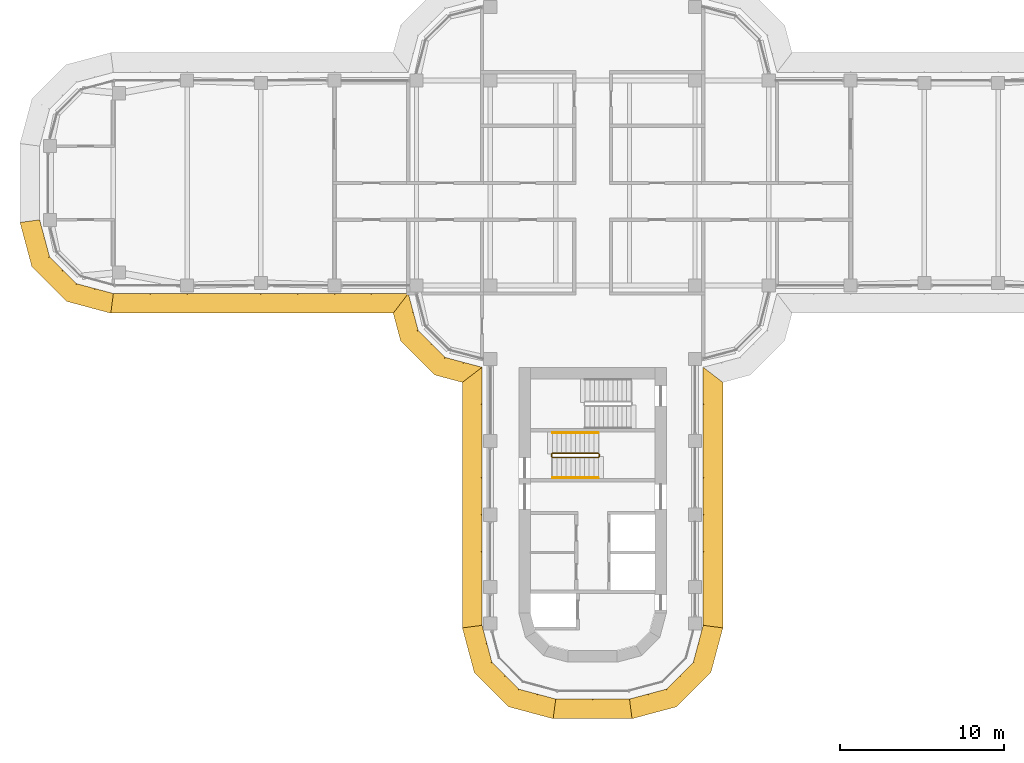
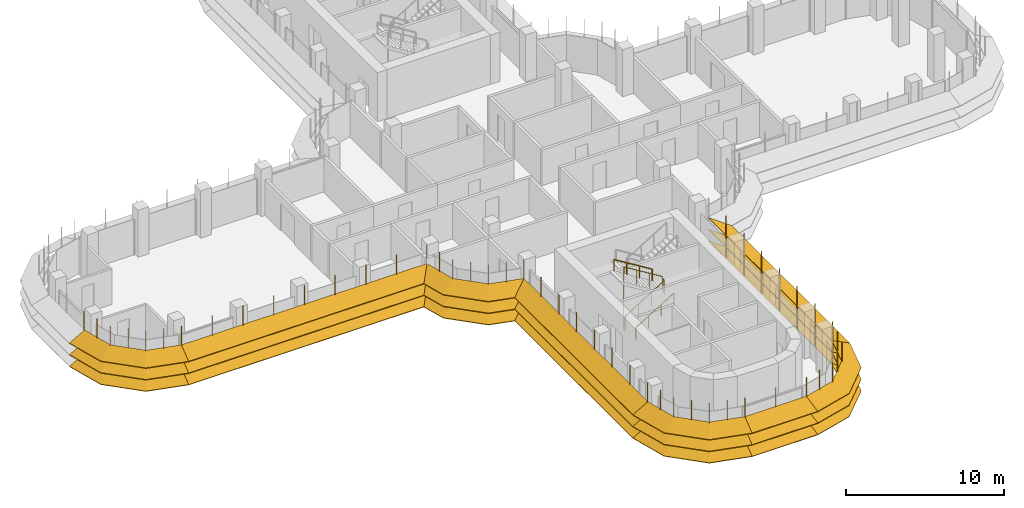
# One storey, part 16 of 19: 8 shading devices, 3 railings.
"""IFC4 building model written with IfcOpenShell, lengths in metres."""

from ifc_helpers import new_model, si_unit, direction, frame, origin, origin_2d, place, context, subcontext, project, spatial, polyline, circle, outline, extrude, faceted_brep, source, transform, mapped, material, type_object, element, save


model = new_model("IFC4")

# Units and contexts
model_context = context("Model", 3, precision=1e-05, world=origin(), true_north=direction((0.0, 1.0)))
body_context = subcontext(model_context, "Body", "Model", "MODEL_VIEW")
ifc_project = project(units=[si_unit("LENGTHUNIT", "METRE"), si_unit("AREAUNIT", "SQUARE_METRE"), si_unit("VOLUMEUNIT", "CUBIC_METRE"), si_unit("PLANEANGLEUNIT", "RADIAN"), si_unit("MASSUNIT", "GRAM", prefix="KILO")], contexts=[model_context])

# Site, building, storey
site_placement = place(None, origin())
site = spatial("IfcSite", under=ifc_project, at=site_placement, CompositionType="ELEMENT")
building_placement = place(site_placement, origin())
building = spatial("IfcBuilding", under=site, at=building_placement, Name="Zarbagh Exchange Tower", CompositionType="ELEMENT")
storey_placement = place(building_placement, frame((0.0, 0.0, 167.60009765625)))
storey = spatial("IfcBuildingStorey", under=building, at=storey_placement, Name="L40", CompositionType="ELEMENT", Elevation=167.60009765625)

# Railings
ifc_material_1 = material(Name="Stainless steel", Category="steel")
railing_type_1 = type_object("IfcRailingType", Name="Stair guard 1100 mm", PredefinedType="GUARDRAIL", material=ifc_material_1)
railing_1_placement = place(storey_placement, frame((0.35009765625, -16.5, 2.072509765625)))
element("IfcRailing", 1, at=railing_1_placement, inside=storey, type_object=railing_type_1, Name="ST3 stair guard 1", PredefinedType="GUARDRAIL", context=body_context, shape_type="SweptSolid", body=[
    extrude(circle(Radius=0.02392578125, at=origin_2d()), frame((0.0, 0.0, 1.076171875), z_axis=(-0.851089632645, 0.0, 0.525020415988), x_axis=(0.0, -1.0, 0.0)), (0.0, 0.0, 1.0), 3.2900390625),
    extrude(circle(Radius=0.02392578125, at=origin_2d()), frame((-2.800048828125, 0.0, 2.80322265625), z_axis=(-0.013169136761, -0.013169136761, -0.999826558796), x_axis=(0.707106781187, -0.707106781187, 0.0)), (0.0, 0.0, 1.0), 3.800537109375),
    extrude(circle(Radius=0.02392578125, at=origin_2d()), frame((-2.85009765625, -0.050048828125, -0.99658203125), z_axis=(0.0, -1.0, 0.0), x_axis=(1.0, 0.0, 0.0)), (0.0, 0.0, 1.0), 0.14990234375),
    extrude(circle(Radius=0.02392578125, at=origin_2d()), frame((-2.85009765625, -0.199951171875, -0.99658203125), z_axis=(0.268277960024, -0.268277960024, 0.925231793839), x_axis=(0.707106781187, 0.707106781187, 0.0)), (0.0, 0.0, 1.0), 0.1865234375),
    extrude(circle(Radius=0.02392578125, at=origin_2d()), frame((-2.800048828125, -0.25, -0.82373046875), z_axis=(0.851089632645, 0.0, 0.525020415988), x_axis=(0.0, 1.0, 0.0)), (0.0, 0.0, 1.0), 3.2900390625),
    extrude(circle(Radius=0.02392578125, at=origin_2d()), frame((0.0, -0.25, 0.9033203125), z_axis=(0.705375805398, 0.708833529934, 0.0), x_axis=(-0.708833529934, 0.705375805398, 0.0)), (0.0, 0.0, 1.0), 0.070556640625),
    extrude(circle(Radius=0.02392578125, at=origin_2d()), frame((0.0498046875, -0.199951171875, 0.9033203125), z_axis=(0.0, 1.0, 0.0), x_axis=(-1.0, 0.0, 0.0)), (0.0, 0.0, 1.0), 0.14990234375),
    extrude(circle(Radius=0.02099609375, at=origin_2d()), origin(), (0.0, 0.0, 1.0), 1.052001953125),
    extrude(circle(Radius=0.02099609375, at=origin_2d()), frame((-0.933349609375, 0.0, 0.57568359375)), (0.0, 0.0, 1.0), 1.052001953125),
    extrude(circle(Radius=0.02099609375, at=origin_2d()), frame((-1.86669921875, 0.0, 1.151611328125)), (0.0, 0.0, 1.0), 1.052001953125),
    extrude(circle(Radius=0.02099609375, at=origin_2d()), frame((-2.800048828125, 0.0, 1.727294921875)), (0.0, 0.0, 1.0), 1.052001953125),
    extrude(circle(Radius=0.02099609375, at=origin_2d()), frame((-2.8125, -0.012451171875, 0.77734375)), (0.0, 0.0, 1.0), 1.052001953125),
    extrude(circle(Radius=0.02099609375, at=origin_2d()), frame((-2.8251953125, -0.02490234375, -0.172607421875)), (0.0, 0.0, 1.0), 1.052001953125),
    extrude(circle(Radius=0.02099609375, at=origin_2d()), frame((-2.837646484375, -0.03759765625, -1.12255859375)), (0.0, 0.0, 1.0), 1.052001953125),
    extrude(circle(Radius=0.02099609375, at=origin_2d()), frame((-2.85009765625, -0.050048828125, -2.072509765625)), (0.0, 0.0, 1.0), 1.052001953125),
    extrude(circle(Radius=0.02099609375, at=origin_2d()), frame((-2.85009765625, -0.199951171875, -2.072509765625)), (0.0, 0.0, 1.0), 1.052001953125),
    extrude(circle(Radius=0.02099609375, at=origin_2d()), frame((-2.800048828125, -0.25, -1.89990234375)), (0.0, 0.0, 1.0), 1.052001953125),
    extrude(circle(Radius=0.02099609375, at=origin_2d()), frame((-1.86669921875, -0.25, -1.32421875)), (0.0, 0.0, 1.0), 1.052001953125),
    extrude(circle(Radius=0.02099609375, at=origin_2d()), frame((-0.933349609375, -0.25, -0.748291015625)), (0.0, 0.0, 1.0), 1.052001953125),
    extrude(circle(Radius=0.02099609375, at=origin_2d()), frame((0.0, -0.25, -0.172607421875)), (0.0, 0.0, 1.0), 1.052001953125),
    extrude(circle(Radius=0.02099609375, at=origin_2d()), frame((0.0498046875, -0.199951171875, -0.172607421875)), (0.0, 0.0, 1.0), 1.052001953125),
    extrude(circle(Radius=0.02099609375, at=origin_2d()), frame((0.0498046875, -0.050048828125, -0.172607421875)), (0.0, 0.0, 1.0), 1.052001953125),
])
railing_type_2 = type_object("IfcRailingType", Name="Stair handrail 900 mm", PredefinedType="HANDRAIL", material=ifc_material_1)
railing_2_placement = place(storey_placement, frame((-2.449951171875, -18.0, 0.172607421875)))
element("IfcRailing", 2, at=railing_2_placement, inside=storey, type_object=railing_type_2, Name="ST3 stair handrail 1", PredefinedType="HANDRAIL", context=body_context, shape_type="SweptSolid", body=[
    extrude(circle(Radius=0.02392578125, at=origin_2d()), frame((0.0, 0.0, 0.8759765625), z_axis=(0.851089632645, 0.0, 0.525020415988), x_axis=(0.0, 1.0, 0.0)), (0.0, 0.0, 1.0), 3.2900390625),
    extrude(circle(Radius=0.02099609375, at=origin_2d()), origin(), (0.0, 0.0, 1.0), 0.851806640625),
    extrude(circle(Radius=0.02099609375, at=origin_2d()), frame((0.933349609375, 0.0, 0.57568359375)), (0.0, 0.0, 1.0), 0.851806640625),
    extrude(circle(Radius=0.02099609375, at=origin_2d()), frame((1.86669921875, 0.0, 1.151611328125)), (0.0, 0.0, 1.0), 0.851806640625),
    extrude(circle(Radius=0.02099609375, at=origin_2d()), frame((2.800048828125, 0.0, 1.727294921875)), (0.0, 0.0, 1.0), 0.851806640625),
])
railing_3_placement = place(storey_placement, frame((0.35009765625, -15.25, 2.072509765625)))
element("IfcRailing", 3, at=railing_3_placement, inside=storey, type_object=railing_type_2, Name="ST3 stair handrail 2", PredefinedType="HANDRAIL", context=body_context, shape_type="SweptSolid", body=[
    extrude(circle(Radius=0.02392578125, at=origin_2d()), frame((0.0, 0.0, 0.8759765625), z_axis=(-0.851089632645, 0.0, 0.525020415988), x_axis=(0.0, -1.0, 0.0)), (0.0, 0.0, 1.0), 3.2900390625),
    extrude(circle(Radius=0.02099609375, at=origin_2d()), origin(), (0.0, 0.0, 1.0), 0.851806640625),
    extrude(circle(Radius=0.02099609375, at=origin_2d()), frame((-0.933349609375, 0.0, 0.57568359375)), (0.0, 0.0, 1.0), 0.851806640625),
    extrude(circle(Radius=0.02099609375, at=origin_2d()), frame((-1.86669921875, 0.0, 1.151611328125)), (0.0, 0.0, 1.0), 0.851806640625),
    extrude(circle(Radius=0.02099609375, at=origin_2d()), frame((-2.800048828125, 0.0, 1.727294921875)), (0.0, 0.0, 1.0), 0.851806640625),
])

# Shading devices
ifc_material_2 = material(Name="Anodised aluminium blades and brackets", Category="aluminium")
shading_device_type = type_object("IfcShadingDeviceType", Name="SUNSHADE louvre band, 22.5 degree blades", PredefinedType="JALOUSIE", material=ifc_material_2)
shared_shape_1 = source(origin(), body_context, "Body", "Brep", [
    faceted_brep([(0.0, 0.0, 0.0), (0.0, 0.0, -0.043212890625), (-0.157958984375, -1.199951171875, -0.540283203125), (-0.157958984375, -1.199951171875, -0.4970703125), (2.65087890625, -1.199951171875, -0.4970703125), (2.65087890625, -1.199951171875, -0.540283203125), (2.329345703125, 0.0, -0.043212890625), (2.329345703125, 0.0, 0.0)], [[[0, 1, 2, 3]], [[4, 5, 6, 7]], [[0, 7, 6, 1]], [[1, 6, 5, 2]], [[2, 5, 4, 3]], [[3, 4, 7, 0]]]),
])
shared_shape_2 = source(origin(), body_context, "Body", "Brep", [
    faceted_brep([(0.0, 0.0, 0.0), (0.0, 0.0, -0.043212890625), (-0.321533203125, -1.199951171875, -0.540283203125), (-0.321533203125, -1.199951171875, -0.4970703125), (2.65087890625, -1.199951171875, -0.4970703125), (2.65087890625, -1.199951171875, -0.540283203125), (2.329345703125, 0.0, -0.043212890625), (2.329345703125, 0.0, 0.0)], [[[0, 1, 2, 3]], [[4, 5, 6, 7]], [[0, 7, 6, 1]], [[1, 6, 5, 2]], [[2, 5, 4, 3]], [[3, 4, 7, 0]]]),
])
shared_shape_3 = source(origin(), body_context, "Body", "Brep", [
    faceted_brep([(0.0, 0.0, 0.0), (0.0, 0.0, -0.043212890625), (-0.321533203125, -1.199951171875, -0.540283203125), (-0.321533203125, -1.199951171875, -0.4970703125), (2.4873046875, -1.199951171875, -0.4970703125), (2.4873046875, -1.199951171875, -0.540283203125), (2.329345703125, 0.0, -0.043212890625), (2.329345703125, 0.0, 0.0)], [[[0, 1, 2, 3]], [[4, 5, 6, 7]], [[0, 7, 6, 1]], [[1, 6, 5, 2]], [[2, 5, 4, 3]], [[3, 4, 7, 0]]]),
])
shared_shape_4 = source(origin(), body_context, "Body", "SweptSolid", [
    extrude(outline(polyline([(0.0, -0.012451171875), (0.06005859375, -0.012451171875), (0.06005859375, 0.012451171875), (0.0, 0.012451171875), (0.0, -0.012451171875)])), origin(), (0.0, 0.0, 1.0), 3.353271484375),
])
placement = place(storey_placement, origin())
element("IfcShadingDevice", 4, at=placement, inside=storey, type_object=shading_device_type, Name="SS35 sunshade band", PredefinedType="JALOUSIE", context=body_context, shape_type="MappedRepresentation", body=[
    mapped(shared_shape_1, transform((2.25, -31.5, 2.2998046875), x_axis=(0.965924289636, 0.258824779902, 0.0), y_axis=(-0.258824779902, 0.965924289636, 0.0), z_axis=(0.0, 0.0, 1.0))),
    mapped(shared_shape_1, transform((2.25, -31.5, 1.39990234375), x_axis=(0.965924289636, 0.258824779902, 0.0), y_axis=(-0.258824779902, 0.965924289636, 0.0), z_axis=(0.0, 0.0, 1.0))),
    mapped(shared_shape_1, transform((2.25, -31.5, 0.5), x_axis=(0.965924289636, 0.258824779902, 0.0), y_axis=(-0.258824779902, 0.965924289636, 0.0), z_axis=(0.0, 0.0, 1.0))),
    mapped(shared_shape_2, transform((4.5, -30.897216796875, 2.2998046875), x_axis=(0.707106781187, 0.707106781187, 0.0), y_axis=(-0.707106781187, 0.707106781187, 0.0), z_axis=(0.0, 0.0, 1.0))),
    mapped(shared_shape_2, transform((4.5, -30.897216796875, 1.39990234375), x_axis=(0.707106781187, 0.707106781187, 0.0), y_axis=(-0.707106781187, 0.707106781187, 0.0), z_axis=(0.0, 0.0, 1.0))),
    mapped(shared_shape_2, transform((4.5, -30.897216796875, 0.5), x_axis=(0.707106781187, 0.707106781187, 0.0), y_axis=(-0.707106781187, 0.707106781187, 0.0), z_axis=(0.0, 0.0, 1.0))),
    mapped(shared_shape_3, transform((6.147216796875, -29.25, 2.2998046875), x_axis=(0.258824779902, 0.965924289636, 0.0), y_axis=(-0.965924289636, 0.258824779902, 0.0), z_axis=(0.0, 0.0, 1.0))),
    mapped(shared_shape_3, transform((6.147216796875, -29.25, 1.39990234375), x_axis=(0.258824779902, 0.965924289636, 0.0), y_axis=(-0.965924289636, 0.258824779902, 0.0), z_axis=(0.0, 0.0, 1.0))),
    mapped(shared_shape_3, transform((6.147216796875, -29.25, 0.5), x_axis=(0.258824779902, 0.965924289636, 0.0), y_axis=(-0.965924289636, 0.258824779902, 0.0), z_axis=(0.0, 0.0, 1.0))),
    mapped(shared_shape_4, transform((2.25, -31.5, 0.426513671875), x_axis=(0.130529263012, -0.991444457092, 0.0), y_axis=(0.991444457092, 0.130529263012, 0.0), z_axis=(0.0, 0.0, 1.0))),
    mapped(shared_shape_4, transform((3.375, -31.198486328125, 0.426513671875), x_axis=(0.258825058029, -0.96592421511, 0.0), y_axis=(0.96592421511, 0.258825058029, 0.0), z_axis=(0.0, 0.0, 1.0))),
    mapped(shared_shape_4, transform((4.5, -30.897216796875, 0.426513671875), x_axis=(0.50000275701, -0.866023812018, 0.0), y_axis=(0.866023812018, 0.50000275701, 0.0), z_axis=(0.0, 0.0, 1.0))),
    mapped(shared_shape_4, transform((5.323486328125, -30.073486328125, 0.426513671875), x_axis=(0.707106781187, -0.707106781187, 0.0), y_axis=(0.707106781187, 0.707106781187, 0.0), z_axis=(0.0, 0.0, 1.0))),
    mapped(shared_shape_4, transform((6.147216796875, -29.25, 0.426513671875), x_axis=(0.866023812018, -0.50000275701, 0.0), y_axis=(0.50000275701, 0.866023812018, 0.0), z_axis=(0.0, 0.0, 1.0))),
    mapped(shared_shape_4, transform((6.448486328125, -28.125, 0.426513671875), x_axis=(0.96592421511, -0.258825058029, 0.0), y_axis=(0.258825058029, 0.96592421511, 0.0), z_axis=(0.0, 0.0, 1.0))),
])
element("IfcShadingDevice", 5, at=placement, inside=storey, type_object=shading_device_type, Name="SS19 sunshade band", PredefinedType="JALOUSIE", context=body_context, shape_type="MappedRepresentation", body=[
    mapped(shared_shape_1, transform((-33.75, -2.25, 2.2998046875), x_axis=(0.258824779902, -0.965924289636, 0.0), y_axis=(0.965924289636, 0.258824779902, 0.0), z_axis=(0.0, 0.0, 1.0))),
    mapped(shared_shape_1, transform((-33.75, -2.25, 1.39990234375), x_axis=(0.258824779902, -0.965924289636, 0.0), y_axis=(0.965924289636, 0.258824779902, 0.0), z_axis=(0.0, 0.0, 1.0))),
    mapped(shared_shape_1, transform((-33.75, -2.25, 0.5), x_axis=(0.258824779902, -0.965924289636, 0.0), y_axis=(0.965924289636, 0.258824779902, 0.0), z_axis=(0.0, 0.0, 1.0))),
    mapped(shared_shape_2, transform((-33.147216796875, -4.5, 2.2998046875), x_axis=(0.707106781187, -0.707106781187, 0.0), y_axis=(0.707106781187, 0.707106781187, 0.0), z_axis=(0.0, 0.0, 1.0))),
    mapped(shared_shape_2, transform((-33.147216796875, -4.5, 1.39990234375), x_axis=(0.707106781187, -0.707106781187, 0.0), y_axis=(0.707106781187, 0.707106781187, 0.0), z_axis=(0.0, 0.0, 1.0))),
    mapped(shared_shape_2, transform((-33.147216796875, -4.5, 0.5), x_axis=(0.707106781187, -0.707106781187, 0.0), y_axis=(0.707106781187, 0.707106781187, 0.0), z_axis=(0.0, 0.0, 1.0))),
    mapped(shared_shape_3, transform((-31.5, -6.147216796875, 2.2998046875), x_axis=(0.965924289636, -0.258824779902, 0.0), y_axis=(0.258824779902, 0.965924289636, 0.0), z_axis=(0.0, 0.0, 1.0))),
    mapped(shared_shape_3, transform((-31.5, -6.147216796875, 1.39990234375), x_axis=(0.965924289636, -0.258824779902, 0.0), y_axis=(0.258824779902, 0.965924289636, 0.0), z_axis=(0.0, 0.0, 1.0))),
    mapped(shared_shape_3, transform((-31.5, -6.147216796875, 0.5), x_axis=(0.965924289636, -0.258824779902, 0.0), y_axis=(0.258824779902, 0.965924289636, 0.0), z_axis=(0.0, 0.0, 1.0))),
    mapped(shared_shape_4, transform((-33.75, -2.25, 0.426513671875), x_axis=(-0.991444457092, -0.130529263012, 0.0), y_axis=(0.130529263012, -0.991444457092, 0.0), z_axis=(0.0, 0.0, 1.0))),
    mapped(shared_shape_4, transform((-33.448486328125, -3.375, 0.426513671875), x_axis=(-0.96592421511, -0.258825058029, 0.0), y_axis=(0.258825058029, -0.96592421511, 0.0), z_axis=(0.0, 0.0, 1.0))),
    mapped(shared_shape_4, transform((-33.147216796875, -4.5, 0.426513671875), x_axis=(-0.866023812018, -0.50000275701, 0.0), y_axis=(0.50000275701, -0.866023812018, 0.0), z_axis=(0.0, 0.0, 1.0))),
    mapped(shared_shape_4, transform((-32.323486328125, -5.323486328125, 0.426513671875), x_axis=(-0.707106781187, -0.707106781187, 0.0), y_axis=(0.707106781187, -0.707106781187, 0.0), z_axis=(0.0, 0.0, 1.0))),
    mapped(shared_shape_4, transform((-31.5, -6.147216796875, 0.426513671875), x_axis=(-0.50000275701, -0.866023812018, 0.0), y_axis=(0.866023812018, -0.50000275701, 0.0), z_axis=(0.0, 0.0, 1.0))),
    mapped(shared_shape_4, transform((-30.375, -6.448486328125, 0.426513671875), x_axis=(-0.258825058029, -0.96592421511, 0.0), y_axis=(0.96592421511, -0.258825058029, 0.0), z_axis=(0.0, 0.0, 1.0))),
])
element("IfcShadingDevice", 6, at=placement, inside=storey, type_object=shading_device_type, Name="SS38 sunshade band", PredefinedType="JALOUSIE", context=body_context, shape_type="MappedRepresentation", body=[
    mapped(shared_shape_1, transform((-6.75, -27.0, 2.2998046875), x_axis=(0.258824779902, -0.965924289636, 0.0), y_axis=(0.965924289636, 0.258824779902, 0.0), z_axis=(0.0, 0.0, 1.0))),
    mapped(shared_shape_1, transform((-6.75, -27.0, 1.39990234375), x_axis=(0.258824779902, -0.965924289636, 0.0), y_axis=(0.965924289636, 0.258824779902, 0.0), z_axis=(0.0, 0.0, 1.0))),
    mapped(shared_shape_1, transform((-6.75, -27.0, 0.5), x_axis=(0.258824779902, -0.965924289636, 0.0), y_axis=(0.965924289636, 0.258824779902, 0.0), z_axis=(0.0, 0.0, 1.0))),
    mapped(shared_shape_2, transform((-6.147216796875, -29.25, 2.2998046875), x_axis=(0.707106781187, -0.707106781187, 0.0), y_axis=(0.707106781187, 0.707106781187, 0.0), z_axis=(0.0, 0.0, 1.0))),
    mapped(shared_shape_2, transform((-6.147216796875, -29.25, 1.39990234375), x_axis=(0.707106781187, -0.707106781187, 0.0), y_axis=(0.707106781187, 0.707106781187, 0.0), z_axis=(0.0, 0.0, 1.0))),
    mapped(shared_shape_2, transform((-6.147216796875, -29.25, 0.5), x_axis=(0.707106781187, -0.707106781187, 0.0), y_axis=(0.707106781187, 0.707106781187, 0.0), z_axis=(0.0, 0.0, 1.0))),
    mapped(shared_shape_3, transform((-4.5, -30.897216796875, 2.2998046875), x_axis=(0.965924289636, -0.258824779902, 0.0), y_axis=(0.258824779902, 0.965924289636, 0.0), z_axis=(0.0, 0.0, 1.0))),
    mapped(shared_shape_3, transform((-4.5, -30.897216796875, 1.39990234375), x_axis=(0.965924289636, -0.258824779902, 0.0), y_axis=(0.258824779902, 0.965924289636, 0.0), z_axis=(0.0, 0.0, 1.0))),
    mapped(shared_shape_3, transform((-4.5, -30.897216796875, 0.5), x_axis=(0.965924289636, -0.258824779902, 0.0), y_axis=(0.258824779902, 0.965924289636, 0.0), z_axis=(0.0, 0.0, 1.0))),
    mapped(shared_shape_4, transform((-6.75, -27.0, 0.426513671875), x_axis=(-0.991444457092, -0.130529263012, 0.0), y_axis=(0.130529263012, -0.991444457092, 0.0), z_axis=(0.0, 0.0, 1.0))),
    mapped(shared_shape_4, transform((-6.448486328125, -28.125, 0.426513671875), x_axis=(-0.96592421511, -0.258825058029, 0.0), y_axis=(0.258825058029, -0.96592421511, 0.0), z_axis=(0.0, 0.0, 1.0))),
    mapped(shared_shape_4, transform((-6.147216796875, -29.25, 0.426513671875), x_axis=(-0.866023812018, -0.50000275701, 0.0), y_axis=(0.50000275701, -0.866023812018, 0.0), z_axis=(0.0, 0.0, 1.0))),
    mapped(shared_shape_4, transform((-5.323486328125, -30.073486328125, 0.426513671875), x_axis=(-0.707106781187, -0.707106781187, 0.0), y_axis=(0.707106781187, -0.707106781187, 0.0), z_axis=(0.0, 0.0, 1.0))),
    mapped(shared_shape_4, transform((-4.5, -30.897216796875, 0.426513671875), x_axis=(-0.50000275701, -0.866023812018, 0.0), y_axis=(0.866023812018, -0.50000275701, 0.0), z_axis=(0.0, 0.0, 1.0))),
    mapped(shared_shape_4, transform((-3.375, -31.198486328125, 0.426513671875), x_axis=(-0.258825058029, -0.96592421511, 0.0), y_axis=(0.96592421511, -0.258825058029, 0.0), z_axis=(0.0, 0.0, 1.0))),
])
shared_shape_5 = source(origin(), body_context, "Body", "Brep", [
    faceted_brep([(0.0, 0.0, 0.0), (0.0, 0.0, -0.043212890625), (0.9208984375, -1.199951171875, -0.540283203125), (0.9208984375, -1.199951171875, -0.4970703125), (2.65087890625, -1.199951171875, -0.4970703125), (2.65087890625, -1.199951171875, -0.540283203125), (2.329345703125, 0.0, -0.043212890625), (2.329345703125, 0.0, 0.0)], [[[0, 1, 2, 3]], [[4, 5, 6, 7]], [[0, 7, 6, 1]], [[1, 6, 5, 2]], [[2, 5, 4, 3]], [[3, 4, 7, 0]]]),
])
shared_shape_6 = source(origin(), body_context, "Body", "Brep", [
    faceted_brep([(0.0, 0.0, 0.0), (0.0, 0.0, -0.043212890625), (-0.321533203125, -1.199951171875, -0.540283203125), (-0.321533203125, -1.199951171875, -0.4970703125), (1.40869140625, -1.199951171875, -0.4970703125), (1.40869140625, -1.199951171875, -0.540283203125), (2.329345703125, 0.0, -0.043212890625), (2.329345703125, 0.0, 0.0)], [[[0, 1, 2, 3]], [[4, 5, 6, 7]], [[0, 7, 6, 1]], [[1, 6, 5, 2]], [[2, 5, 4, 3]], [[3, 4, 7, 0]]]),
])
element("IfcShadingDevice", 7, at=placement, inside=storey, type_object=shading_device_type, Name="SS21 sunshade band", PredefinedType="JALOUSIE", context=body_context, shape_type="MappedRepresentation", body=[
    mapped(shared_shape_5, transform((-11.25, -6.75, 2.2998046875), x_axis=(0.258824779902, -0.965924289636, 0.0), y_axis=(0.965924289636, 0.258824779902, 0.0), z_axis=(0.0, 0.0, 1.0))),
    mapped(shared_shape_5, transform((-11.25, -6.75, 1.39990234375), x_axis=(0.258824779902, -0.965924289636, 0.0), y_axis=(0.965924289636, 0.258824779902, 0.0), z_axis=(0.0, 0.0, 1.0))),
    mapped(shared_shape_5, transform((-11.25, -6.75, 0.5), x_axis=(0.258824779902, -0.965924289636, 0.0), y_axis=(0.965924289636, 0.258824779902, 0.0), z_axis=(0.0, 0.0, 1.0))),
    mapped(shared_shape_2, transform((-10.647216796875, -9.0, 2.2998046875), x_axis=(0.707106781187, -0.707106781187, 0.0), y_axis=(0.707106781187, 0.707106781187, 0.0), z_axis=(0.0, 0.0, 1.0))),
    mapped(shared_shape_2, transform((-10.647216796875, -9.0, 1.39990234375), x_axis=(0.707106781187, -0.707106781187, 0.0), y_axis=(0.707106781187, 0.707106781187, 0.0), z_axis=(0.0, 0.0, 1.0))),
    mapped(shared_shape_2, transform((-10.647216796875, -9.0, 0.5), x_axis=(0.707106781187, -0.707106781187, 0.0), y_axis=(0.707106781187, 0.707106781187, 0.0), z_axis=(0.0, 0.0, 1.0))),
    mapped(shared_shape_6, transform((-9.0, -10.647216796875, 2.2998046875), x_axis=(0.965924289636, -0.258824779902, 0.0), y_axis=(0.258824779902, 0.965924289636, 0.0), z_axis=(0.0, 0.0, 1.0))),
    mapped(shared_shape_6, transform((-9.0, -10.647216796875, 1.39990234375), x_axis=(0.965924289636, -0.258824779902, 0.0), y_axis=(0.258824779902, 0.965924289636, 0.0), z_axis=(0.0, 0.0, 1.0))),
    mapped(shared_shape_6, transform((-9.0, -10.647216796875, 0.5), x_axis=(0.965924289636, -0.258824779902, 0.0), y_axis=(0.258824779902, 0.965924289636, 0.0), z_axis=(0.0, 0.0, 1.0))),
    mapped(shared_shape_4, transform((-11.25, -6.75, 0.426513671875), x_axis=(-0.608758892, -0.793355287, 0.0), y_axis=(0.793355287, -0.608758892, 0.0), z_axis=(0.0, 0.0, 1.0))),
    mapped(shared_shape_4, transform((-10.948486328125, -7.875, 0.426513671875), x_axis=(-0.96592421511, -0.258825058029, 0.0), y_axis=(0.258825058029, -0.96592421511, 0.0), z_axis=(0.0, 0.0, 1.0))),
    mapped(shared_shape_4, transform((-10.647216796875, -9.0, 0.426513671875), x_axis=(-0.866023812018, -0.50000275701, 0.0), y_axis=(0.50000275701, -0.866023812018, 0.0), z_axis=(0.0, 0.0, 1.0))),
    mapped(shared_shape_4, transform((-9.823486328125, -9.823486328125, 0.426513671875), x_axis=(-0.707106781187, -0.707106781187, 0.0), y_axis=(0.707106781187, -0.707106781187, 0.0), z_axis=(0.0, 0.0, 1.0))),
    mapped(shared_shape_4, transform((-9.0, -10.647216796875, 0.426513671875), x_axis=(-0.50000275701, -0.866023812018, 0.0), y_axis=(0.866023812018, -0.50000275701, 0.0), z_axis=(0.0, 0.0, 1.0))),
    mapped(shared_shape_4, transform((-7.875, -10.948486328125, 0.426513671875), x_axis=(-0.258825058029, -0.96592421511, 0.0), y_axis=(0.96592421511, -0.258825058029, 0.0), z_axis=(0.0, 0.0, 1.0))),
])
shared_shape_7 = source(origin(), body_context, "Body", "Brep", [
    faceted_brep([(0.0, 0.0, 0.0), (0.0, 0.0, -0.043212890625), (-0.157958984375, -1.199951171875, -0.540283203125), (-0.157958984375, -1.199951171875, -0.4970703125), (14.8291015625, -1.199951171875, -0.4970703125), (14.8291015625, -1.199951171875, -0.540283203125), (15.75, 0.0, -0.043212890625), (15.75, 0.0, 0.0)], [[[0, 1, 2, 3]], [[4, 5, 6, 7]], [[0, 7, 6, 1]], [[1, 6, 5, 2]], [[2, 5, 4, 3]], [[3, 4, 7, 0]]]),
])
element("IfcShadingDevice", 8, at=placement, inside=storey, type_object=shading_device_type, Name="SS36 sunshade band", PredefinedType="JALOUSIE", context=body_context, shape_type="MappedRepresentation", body=[
    mapped(shared_shape_7, transform((6.75, -27.0, 2.2998046875), x_axis=(0.0, 1.0, 0.0), y_axis=(-1.0, 0.0, 0.0), z_axis=(0.0, 0.0, 1.0))),
    mapped(shared_shape_7, transform((6.75, -27.0, 1.39990234375), x_axis=(0.0, 1.0, 0.0), y_axis=(-1.0, 0.0, 0.0), z_axis=(0.0, 0.0, 1.0))),
    mapped(shared_shape_7, transform((6.75, -27.0, 0.5), x_axis=(0.0, 1.0, 0.0), y_axis=(-1.0, 0.0, 0.0), z_axis=(0.0, 0.0, 1.0))),
    mapped(shared_shape_4, transform((6.75, -27.0, 0.426513671875), x_axis=(0.991444457092, -0.130529263012, 0.0), y_axis=(0.130529263012, 0.991444457092, 0.0), z_axis=(0.0, 0.0, 1.0))),
    mapped(shared_shape_4, transform((6.75, -24.75, 0.426513671875), x_axis=(1.0, 0.0, 0.0), y_axis=(0.0, 1.0, 0.0), z_axis=(0.0, 0.0, 1.0))),
    mapped(shared_shape_4, transform((6.75, -22.5, 0.426513671875), x_axis=(1.0, 0.0, 0.0), y_axis=(0.0, 1.0, 0.0), z_axis=(0.0, 0.0, 1.0))),
    mapped(shared_shape_4, transform((6.75, -20.25, 0.426513671875), x_axis=(1.0, 0.0, 0.0), y_axis=(0.0, 1.0, 0.0), z_axis=(0.0, 0.0, 1.0))),
    mapped(shared_shape_4, transform((6.75, -18.0, 0.426513671875), x_axis=(1.0, 0.0, 0.0), y_axis=(0.0, 1.0, 0.0), z_axis=(0.0, 0.0, 1.0))),
    mapped(shared_shape_4, transform((6.75, -15.75, 0.426513671875), x_axis=(1.0, 0.0, 0.0), y_axis=(0.0, 1.0, 0.0), z_axis=(0.0, 0.0, 1.0))),
    mapped(shared_shape_4, transform((6.75, -13.5, 0.426513671875), x_axis=(1.0, 0.0, 0.0), y_axis=(0.0, 1.0, 0.0), z_axis=(0.0, 0.0, 1.0))),
])
shared_shape_8 = source(origin(), body_context, "Body", "Brep", [
    faceted_brep([(0.0, 0.0, 0.0), (0.0, 0.0, -0.043212890625), (-0.157958984375, -1.199951171875, -0.540283203125), (-0.157958984375, -1.199951171875, -0.4970703125), (17.0791015625, -1.199951171875, -0.4970703125), (17.0791015625, -1.199951171875, -0.540283203125), (18.0, 0.0, -0.043212890625), (18.0, 0.0, 0.0)], [[[0, 1, 2, 3]], [[4, 5, 6, 7]], [[0, 7, 6, 1]], [[1, 6, 5, 2]], [[2, 5, 4, 3]], [[3, 4, 7, 0]]]),
])
element("IfcShadingDevice", 9, at=placement, inside=storey, type_object=shading_device_type, Name="SS20 sunshade band", PredefinedType="JALOUSIE", context=body_context, shape_type="MappedRepresentation", body=[
    mapped(shared_shape_8, transform((-29.25, -6.75, 2.2998046875), x_axis=(1.0, 0.0, 0.0), y_axis=(0.0, 1.0, 0.0), z_axis=(0.0, 0.0, 1.0))),
    mapped(shared_shape_8, transform((-29.25, -6.75, 1.39990234375), x_axis=(1.0, 0.0, 0.0), y_axis=(0.0, 1.0, 0.0), z_axis=(0.0, 0.0, 1.0))),
    mapped(shared_shape_8, transform((-29.25, -6.75, 0.5), x_axis=(1.0, 0.0, 0.0), y_axis=(0.0, 1.0, 0.0), z_axis=(0.0, 0.0, 1.0))),
    mapped(shared_shape_4, transform((-29.25, -6.75, 0.426513671875), x_axis=(-0.130529263012, -0.991444457092, 0.0), y_axis=(0.991444457092, -0.130529263012, 0.0), z_axis=(0.0, 0.0, 1.0))),
    mapped(shared_shape_4, transform((-27.0, -6.75, 0.426513671875), x_axis=(0.0, -1.0, 0.0), y_axis=(1.0, 0.0, 0.0), z_axis=(0.0, 0.0, 1.0))),
    mapped(shared_shape_4, transform((-24.75, -6.75, 0.426513671875), x_axis=(0.0, -1.0, 0.0), y_axis=(1.0, 0.0, 0.0), z_axis=(0.0, 0.0, 1.0))),
    mapped(shared_shape_4, transform((-22.5, -6.75, 0.426513671875), x_axis=(0.0, -1.0, 0.0), y_axis=(1.0, 0.0, 0.0), z_axis=(0.0, 0.0, 1.0))),
    mapped(shared_shape_4, transform((-20.25, -6.75, 0.426513671875), x_axis=(0.0, -1.0, 0.0), y_axis=(1.0, 0.0, 0.0), z_axis=(0.0, 0.0, 1.0))),
    mapped(shared_shape_4, transform((-18.0, -6.75, 0.426513671875), x_axis=(0.0, -1.0, 0.0), y_axis=(1.0, 0.0, 0.0), z_axis=(0.0, 0.0, 1.0))),
    mapped(shared_shape_4, transform((-15.75, -6.75, 0.426513671875), x_axis=(0.0, -1.0, 0.0), y_axis=(1.0, 0.0, 0.0), z_axis=(0.0, 0.0, 1.0))),
    mapped(shared_shape_4, transform((-13.5, -6.75, 0.426513671875), x_axis=(0.0, -1.0, 0.0), y_axis=(1.0, 0.0, 0.0), z_axis=(0.0, 0.0, 1.0))),
])
shared_shape_9 = source(origin(), body_context, "Body", "Brep", [
    faceted_brep([(0.0, 0.0, 0.0), (0.0, 0.0, -0.043212890625), (0.9208984375, -1.199951171875, -0.540283203125), (0.9208984375, -1.199951171875, -0.4970703125), (15.907958984375, -1.199951171875, -0.4970703125), (15.907958984375, -1.199951171875, -0.540283203125), (15.75, 0.0, -0.043212890625), (15.75, 0.0, 0.0)], [[[0, 1, 2, 3]], [[4, 5, 6, 7]], [[0, 7, 6, 1]], [[1, 6, 5, 2]], [[2, 5, 4, 3]], [[3, 4, 7, 0]]]),
])
element("IfcShadingDevice", 10, at=placement, inside=storey, type_object=shading_device_type, Name="SS37 sunshade band", PredefinedType="JALOUSIE", context=body_context, shape_type="MappedRepresentation", body=[
    mapped(shared_shape_9, transform((-6.75, -11.25, 2.2998046875), x_axis=(0.0, -1.0, 0.0), y_axis=(1.0, 0.0, 0.0), z_axis=(0.0, 0.0, 1.0))),
    mapped(shared_shape_9, transform((-6.75, -11.25, 1.39990234375), x_axis=(0.0, -1.0, 0.0), y_axis=(1.0, 0.0, 0.0), z_axis=(0.0, 0.0, 1.0))),
    mapped(shared_shape_9, transform((-6.75, -11.25, 0.5), x_axis=(0.0, -1.0, 0.0), y_axis=(1.0, 0.0, 0.0), z_axis=(0.0, 0.0, 1.0))),
    mapped(shared_shape_4, transform((-6.75, -11.25, 0.426513671875), x_axis=(-0.793355287, -0.608758892, 0.0), y_axis=(0.608758892, -0.793355287, 0.0), z_axis=(0.0, 0.0, 1.0))),
    mapped(shared_shape_4, transform((-6.75, -13.5, 0.426513671875), x_axis=(-1.0, 0.0, 0.0), y_axis=(0.0, -1.0, 0.0), z_axis=(0.0, 0.0, 1.0))),
    mapped(shared_shape_4, transform((-6.75, -15.75, 0.426513671875), x_axis=(-1.0, 0.0, 0.0), y_axis=(0.0, -1.0, 0.0), z_axis=(0.0, 0.0, 1.0))),
    mapped(shared_shape_4, transform((-6.75, -18.0, 0.426513671875), x_axis=(-1.0, 0.0, 0.0), y_axis=(0.0, -1.0, 0.0), z_axis=(0.0, 0.0, 1.0))),
    mapped(shared_shape_4, transform((-6.75, -20.25, 0.426513671875), x_axis=(-1.0, 0.0, 0.0), y_axis=(0.0, -1.0, 0.0), z_axis=(0.0, 0.0, 1.0))),
    mapped(shared_shape_4, transform((-6.75, -22.5, 0.426513671875), x_axis=(-1.0, 0.0, 0.0), y_axis=(0.0, -1.0, 0.0), z_axis=(0.0, 0.0, 1.0))),
    mapped(shared_shape_4, transform((-6.75, -24.75, 0.426513671875), x_axis=(-1.0, 0.0, 0.0), y_axis=(0.0, -1.0, 0.0), z_axis=(0.0, 0.0, 1.0))),
])
shared_shape_10 = source(origin(), body_context, "Body", "Brep", [
    faceted_brep([(0.0, 0.0, 0.0), (0.0, 0.0, -0.043212890625), (-0.157958984375, -1.199951171875, -0.540283203125), (-0.157958984375, -1.199951171875, -0.4970703125), (4.657958984375, -1.199951171875, -0.4970703125), (4.657958984375, -1.199951171875, -0.540283203125), (4.5, 0.0, -0.043212890625), (4.5, 0.0, 0.0)], [[[0, 1, 2, 3]], [[4, 5, 6, 7]], [[0, 7, 6, 1]], [[1, 6, 5, 2]], [[2, 5, 4, 3]], [[3, 4, 7, 0]]]),
])
element("IfcShadingDevice", 11, at=placement, inside=storey, type_object=shading_device_type, Name="SS39 sunshade band", PredefinedType="JALOUSIE", context=body_context, shape_type="MappedRepresentation", body=[
    mapped(shared_shape_10, transform((-2.25, -31.5, 2.2998046875), x_axis=(1.0, 0.0, 0.0), y_axis=(0.0, 1.0, 0.0), z_axis=(0.0, 0.0, 1.0))),
    mapped(shared_shape_10, transform((-2.25, -31.5, 1.39990234375), x_axis=(1.0, 0.0, 0.0), y_axis=(0.0, 1.0, 0.0), z_axis=(0.0, 0.0, 1.0))),
    mapped(shared_shape_10, transform((-2.25, -31.5, 0.5), x_axis=(1.0, 0.0, 0.0), y_axis=(0.0, 1.0, 0.0), z_axis=(0.0, 0.0, 1.0))),
    mapped(shared_shape_4, transform((-2.25, -31.5, 0.426513671875), x_axis=(-0.130529263012, -0.991444457092, 0.0), y_axis=(0.991444457092, -0.130529263012, 0.0), z_axis=(0.0, 0.0, 1.0))),
    mapped(shared_shape_4, transform((0.0, -31.5, 0.426513671875), x_axis=(0.0, -1.0, 0.0), y_axis=(1.0, 0.0, 0.0), z_axis=(0.0, 0.0, 1.0))),
])

save(model, "model.ifc")
